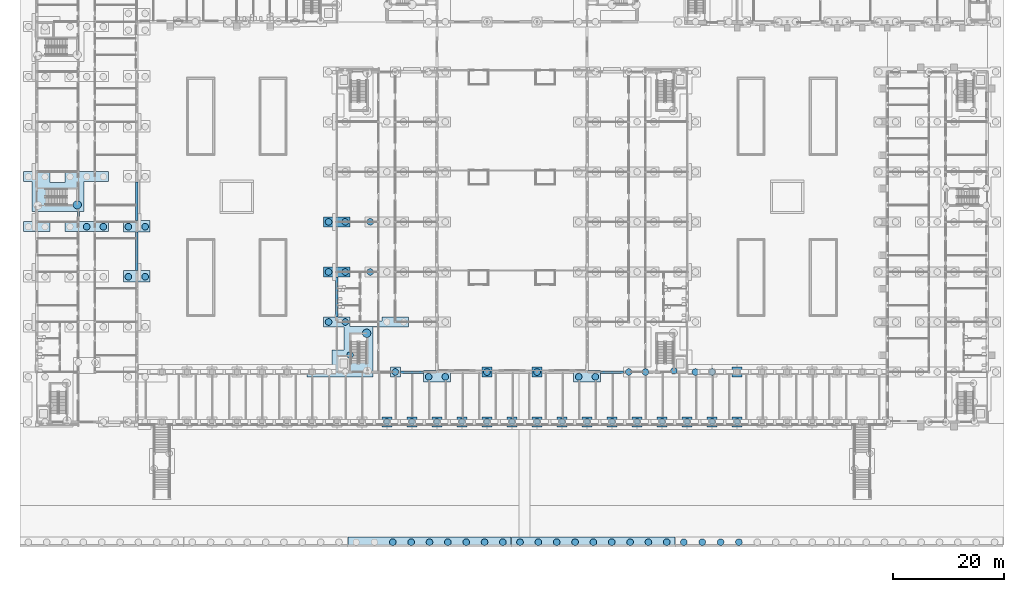
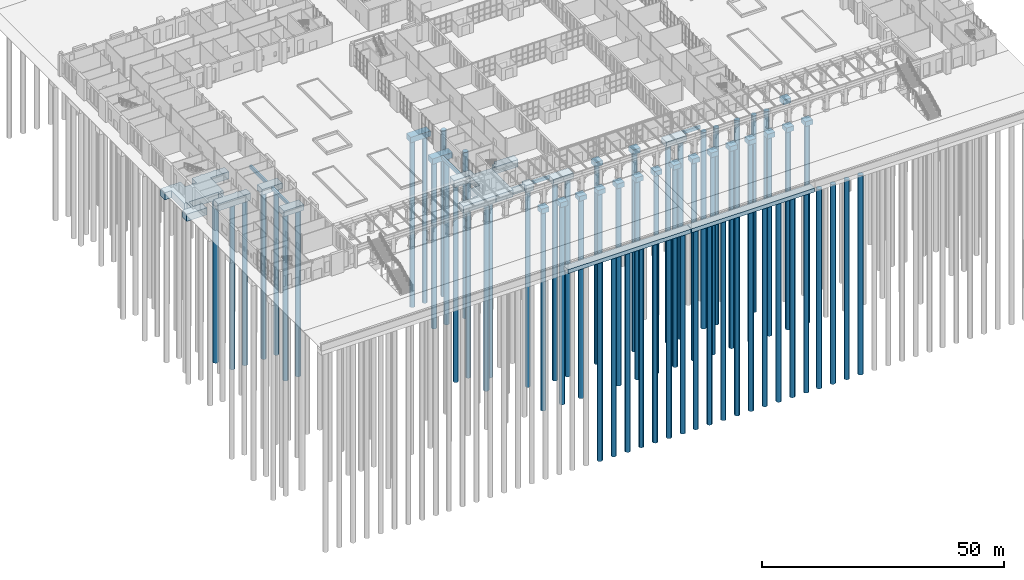
# One storey, part 2 of 168: 64 piles, 33 footings.
"""IFC4 building model written with IfcOpenShell, lengths in metres."""

from ifc_helpers import new_model, si_unit, direction, frame, origin, origin_2d, place, context, subcontext, project, spatial, polyline, circle, outline, extrude, material, material_profile, profile_set, type_object, element, save


model = new_model("IFC4")

# Units and contexts
model_context = context("Model", 3, precision=1e-05, world=origin(), true_north=direction((0.0, 1.0)))
body_context = subcontext(model_context, "Body", "Model", "MODEL_VIEW")
ifc_project = project(units=[si_unit("LENGTHUNIT", "METRE"), si_unit("AREAUNIT", "SQUARE_METRE"), si_unit("VOLUMEUNIT", "CUBIC_METRE"), si_unit("PLANEANGLEUNIT", "RADIAN"), si_unit("MASSUNIT", "GRAM", prefix="KILO")], contexts=[model_context])

# Site, building, storey
site_placement = place(None, origin())
site = spatial("IfcSite", under=ifc_project, at=site_placement, CompositionType="ELEMENT")
building_placement = place(site_placement, origin())
building = spatial("IfcBuilding", under=site, at=building_placement, Name="Golden Quay Civic Hall", CompositionType="ELEMENT")
storey_placement = place(building_placement, origin())
storey = spatial("IfcBuildingStorey", under=building, at=storey_placement, Name="L00", CompositionType="ELEMENT", Elevation=0.0)

# Piles
ifc_material_1 = material(Name="Concrete C40/50", Category="concrete")
ifc_material_profile_1 = material_profile(ifc_material_1, circle(Radius=0.60009765625, at=origin_2d()), Name="RC D1200")
ifc_profile_set_1 = profile_set([ifc_material_profile_1], Name="Concrete C40/50")
pile_type_1 = type_object("IfcPileType", Name="Bored pile 1200", PredefinedType="BORED", material=ifc_profile_set_1)
for number, where, z_axis, x_axis, name in (
    (1, (9.0, 26.134033203125, -2.300048828125), (0.0, 0.0, -1.0), (1.0, 0.0, 0.0), "PL1 bored pile"),
    (2, (12.0, 26.134033203125, -2.300048828125), (0.0, 0.0, -1.0), (1.0, 0.0, 0.0), "PL1 bored pile"),
):
    element("IfcPile", number, at=place(storey_placement, frame(where, z_axis=z_axis, x_axis=x_axis)), inside=storey, type_object=pile_type_1, Name=name, PredefinedType="BORED", context=body_context, shape_type="SweptSolid", body=[
        extrude(circle(Radius=0.60009765625, at=origin_2d()), origin(), (0.0, 0.0, 1.0), 41.699951171875),
    ])
for number, where, z_axis, x_axis, name in (
    (3, (16.5, 17.134033203125, -1.89990234375), (0.0, 0.0, -1.0), (1.0, 0.0, 0.0), "PL1 bored pile"),
    (4, (19.5, 17.134033203125, -1.89990234375), (0.0, 0.0, -1.0), (1.0, 0.0, 0.0), "PL1 bored pile"),
    (5, (16.5, 26.134033203125, -1.89990234375), (0.0, 0.0, -1.0), (1.0, 0.0, 0.0), "PL1 bored pile"),
    (6, (19.5, 26.134033203125, -1.89990234375), (0.0, 0.0, -1.0), (1.0, 0.0, 0.0), "PL1 bored pile"),
):
    element("IfcPile", number, at=place(storey_placement, frame(where, z_axis=z_axis, x_axis=x_axis)), inside=storey, type_object=pile_type_1, Name=name, PredefinedType="BORED", context=body_context, shape_type="SweptSolid", body=[
        extrude(circle(Radius=0.60009765625, at=origin_2d()), origin(), (0.0, 0.0, 1.0), 42.10009765625),
    ])
for number, where, z_axis, x_axis, name in (
    (7, (52.5, 9.0, -2.300048828125), (0.0, 0.0, -1.0), (1.0, 0.0, 0.0), "PL1 bored pile"),
    (8, (55.5, 9.0, -2.300048828125), (0.0, 0.0, -1.0), (1.0, 0.0, 0.0), "PL1 bored pile"),
    (9, (56.375, 3.050048828125, -2.300048828125), (0.0, 0.0, -1.0), (1.0, 0.0, 0.0), "PL1 bored pile"),
    (10, (64.5, 0.0, -2.300048828125), (0.0, 0.0, -1.0), (1.0, 0.0, 0.0), "PL1 bored pile"),
):
    element("IfcPile", number, at=place(storey_placement, frame(where, z_axis=z_axis, x_axis=x_axis)), inside=storey, type_object=pile_type_1, Name=name, PredefinedType="BORED", context=body_context, shape_type="SweptSolid", body=[
        extrude(circle(Radius=0.60009765625, at=origin_2d()), origin(), (0.0, 0.0, 1.0), 49.699951171875),
    ])
for number, where, z_axis, x_axis, name in (
    (11, (52.5, 18.0, -1.89990234375), (0.0, 0.0, -1.0), (1.0, 0.0, 0.0), "PL1 bored pile"),
    (12, (55.5, 18.0, -1.89990234375), (0.0, 0.0, -1.0), (1.0, 0.0, 0.0), "PL1 bored pile"),
    (13, (52.5, 27.0, -1.89990234375), (0.0, 0.0, -1.0), (1.0, 0.0, 0.0), "PL1 bored pile"),
    (14, (55.5, 27.0, -1.89990234375), (0.0, 0.0, -1.0), (1.0, 0.0, 0.0), "PL1 bored pile"),
):
    element("IfcPile", number, at=place(storey_placement, frame(where, z_axis=z_axis, x_axis=x_axis)), inside=storey, type_object=pile_type_1, Name=name, PredefinedType="BORED", context=body_context, shape_type="SweptSolid", body=[
        extrude(circle(Radius=0.60009765625, at=origin_2d()), origin(), (0.0, 0.0, 1.0), 42.10009765625),
    ])
for number, where, z_axis, x_axis, name in (
    (15, (60.0, 18.0, -2.0), (0.0, 0.0, -1.0), (1.0, 0.0, 0.0), "PL1 bored pile"),
    (16, (60.0, 27.0, -2.0), (0.0, 0.0, -1.0), (1.0, 0.0, 0.0), "PL1 bored pile"),
):
    element("IfcPile", number, at=place(storey_placement, frame(where, z_axis=z_axis, x_axis=x_axis)), inside=storey, type_object=pile_type_1, Name=name, PredefinedType="BORED", context=body_context, shape_type="SweptSolid", body=[
        extrude(circle(Radius=0.60009765625, at=origin_2d()), origin(), (0.0, 0.0, 1.0), 42.0),
    ])
for number, where, z_axis, x_axis, name in (
    (17, (63.0, -9.0, -1.699951171875), (0.0, 0.0, -1.0), (1.0, 0.0, 0.0), "PL1 bored pile"),
    (18, (67.5, -9.0, -1.699951171875), (0.0, 0.0, -1.0), (1.0, 0.0, 0.0), "PL1 bored pile"),
):
    element("IfcPile", number, at=place(storey_placement, frame(where, z_axis=z_axis, x_axis=x_axis)), inside=storey, type_object=pile_type_1, Name=name, PredefinedType="BORED", context=body_context, shape_type="SweptSolid", body=[
        extrude(circle(Radius=0.60009765625, at=origin_2d()), origin(), (0.0, 0.0, 1.0), 50.300048828125),
    ])
for number, where, z_axis, x_axis, name in (
    (19, (70.5, -0.865966796875, -1.89990234375), (0.0, 0.0, -1.0), (1.0, 0.0, 0.0), "PL1 bored pile"),
    (20, (73.5, -0.865966796875, -1.89990234375), (0.0, 0.0, -1.0), (1.0, 0.0, 0.0), "PL1 bored pile"),
):
    element("IfcPile", number, at=place(storey_placement, frame(where, z_axis=z_axis, x_axis=x_axis)), inside=storey, type_object=pile_type_1, Name=name, PredefinedType="BORED", context=body_context, shape_type="SweptSolid", body=[
        extrude(circle(Radius=0.60009765625, at=origin_2d()), origin(), (0.0, 0.0, 1.0), 50.10009765625),
    ])
for number, where, z_axis, x_axis, name in (
    (21, (72.0, -9.0, -1.699951171875), (0.0, 0.0, -1.0), (1.0, 0.0, 0.0), "PL1 bored pile"),
    (22, (76.5, -9.0, -1.699951171875), (0.0, 0.0, -1.0), (1.0, 0.0, 0.0), "PL1 bored pile"),
    (23, (81.0, -9.0, -1.699951171875), (0.0, 0.0, -1.0), (1.0, 0.0, 0.0), "PL1 bored pile"),
    (24, (81.0, 0.0, -1.699951171875), (0.0, 0.0, -1.0), (1.0, 0.0, 0.0), "PL1 bored pile"),
    (25, (85.5, -9.0, -1.699951171875), (0.0, 0.0, -1.0), (1.0, 0.0, 0.0), "PL1 bored pile"),
    (26, (90.0, -9.0, -1.699951171875), (0.0, 0.0, -1.0), (1.0, 0.0, 0.0), "PL1 bored pile"),
    (27, (90.0, 0.0, -1.699951171875), (0.0, 0.0, -1.0), (1.0, 0.0, 0.0), "PL1 bored pile"),
    (28, (94.5, -9.0, -1.699951171875), (0.0, 0.0, -1.0), (1.0, 0.0, 0.0), "PL1 bored pile"),
):
    element("IfcPile", number, at=place(storey_placement, frame(where, z_axis=z_axis, x_axis=x_axis)), inside=storey, type_object=pile_type_1, Name=name, PredefinedType="BORED", context=body_context, shape_type="SweptSolid", body=[
        extrude(circle(Radius=0.60009765625, at=origin_2d()), origin(), (0.0, 0.0, 1.0), 50.300048828125),
    ])
for number, where, z_axis, x_axis, name in (
    (29, (97.5, -0.865966796875, -1.89990234375), (0.0, 0.0, -1.0), (1.0, 0.0, 0.0), "PL1 bored pile"),
    (30, (100.5, -0.865966796875, -1.89990234375), (0.0, 0.0, -1.0), (1.0, 0.0, 0.0), "PL1 bored pile"),
):
    element("IfcPile", number, at=place(storey_placement, frame(where, z_axis=z_axis, x_axis=x_axis)), inside=storey, type_object=pile_type_1, Name=name, PredefinedType="BORED", context=body_context, shape_type="SweptSolid", body=[
        extrude(circle(Radius=0.60009765625, at=origin_2d()), origin(), (0.0, 0.0, 1.0), 50.10009765625),
    ])
for number, where, z_axis, x_axis, name in (
    (31, (99.0, -9.0, -1.699951171875), (0.0, 0.0, -1.0), (1.0, 0.0, 0.0), "PL1 bored pile"),
    (32, (103.5, -9.0, -1.699951171875), (0.0, 0.0, -1.0), (1.0, 0.0, 0.0), "PL1 bored pile"),
):
    element("IfcPile", number, at=place(storey_placement, frame(where, z_axis=z_axis, x_axis=x_axis)), inside=storey, type_object=pile_type_1, Name=name, PredefinedType="BORED", context=body_context, shape_type="SweptSolid", body=[
        extrude(circle(Radius=0.60009765625, at=origin_2d()), origin(), (0.0, 0.0, 1.0), 50.300048828125),
    ])
for number, where, z_axis, x_axis, name in (
    (33, (106.5, 0.0, -2.300048828125), (0.0, 0.0, -1.0), (1.0, 0.0, 0.0), "PL1 bored pile"),
    (34, (109.5, 0.0, -2.300048828125), (0.0, 0.0, -1.0), (1.0, 0.0, 0.0), "PL1 bored pile"),
    (35, (114.625, 0.199951171875, -2.300048828125), (0.0, 0.0, -1.0), (1.0, 0.0, 0.0), "PL1 bored pile"),
    (36, (118.5, 0.0, -2.300048828125), (0.0, 0.0, -1.0), (1.0, 0.0, 0.0), "PL1 bored pile"),
    (37, (121.5, 0.0, -2.300048828125), (0.0, 0.0, -1.0), (1.0, 0.0, 0.0), "PL1 bored pile"),
):
    element("IfcPile", number, at=place(storey_placement, frame(where, z_axis=z_axis, x_axis=x_axis)), inside=storey, type_object=pile_type_1, Name=name, PredefinedType="BORED", context=body_context, shape_type="SweptSolid", body=[
        extrude(circle(Radius=0.60009765625, at=origin_2d()), origin(), (0.0, 0.0, 1.0), 49.699951171875),
    ])
for number, where, z_axis, x_axis, name in (
    (38, (108.0, -9.0, -1.699951171875), (0.0, 0.0, -1.0), (1.0, 0.0, 0.0), "PL1 bored pile"),
    (39, (112.5, -9.0, -1.699951171875), (0.0, 0.0, -1.0), (1.0, 0.0, 0.0), "PL1 bored pile"),
    (40, (117.0, -9.0, -1.699951171875), (0.0, 0.0, -1.0), (1.0, 0.0, 0.0), "PL1 bored pile"),
    (41, (121.5, -9.0, -1.699951171875), (0.0, 0.0, -1.0), (1.0, 0.0, 0.0), "PL1 bored pile"),
    (42, (126.0, -9.0, -1.699951171875), (0.0, 0.0, -1.0), (1.0, 0.0, 0.0), "PL1 bored pile"),
):
    element("IfcPile", number, at=place(storey_placement, frame(where, z_axis=z_axis, x_axis=x_axis)), inside=storey, type_object=pile_type_1, Name=name, PredefinedType="BORED", context=body_context, shape_type="SweptSolid", body=[
        extrude(circle(Radius=0.60009765625, at=origin_2d()), origin(), (0.0, 0.0, 1.0), 50.300048828125),
    ])
for number, where, z_axis, x_axis, name in (
    (43, (64.06005859375, -30.60009765625, -1.60009765625), (0.0, 0.0, -1.0), (1.0, 0.0, 0.0), "PL1 bored pile"),
    (44, (67.360107421875, -30.60009765625, -1.60009765625), (0.0, 0.0, -1.0), (1.0, 0.0, 0.0), "PL1 bored pile"),
    (45, (70.659912109375, -30.60009765625, -1.60009765625), (0.0, 0.0, -1.0), (1.0, 0.0, 0.0), "PL1 bored pile"),
    (46, (73.9599609375, -30.60009765625, -1.60009765625), (0.0, 0.0, -1.0), (1.0, 0.0, 0.0), "PL1 bored pile"),
    (47, (77.260009765625, -30.60009765625, -1.60009765625), (0.0, 0.0, -1.0), (1.0, 0.0, 0.0), "PL1 bored pile"),
    (48, (80.56005859375, -30.60009765625, -1.60009765625), (0.0, 0.0, -1.0), (1.0, 0.0, 0.0), "PL1 bored pile"),
    (49, (83.860107421875, -30.60009765625, -1.60009765625), (0.0, 0.0, -1.0), (1.0, 0.0, 0.0), "PL1 bored pile"),
    (50, (86.93994140625, -30.60009765625, -1.60009765625), (0.0, 0.0, -1.0), (1.0, 0.0, 0.0), "PL1 bored pile"),
    (51, (90.239990234375, -30.60009765625, -1.60009765625), (0.0, 0.0, -1.0), (1.0, 0.0, 0.0), "PL1 bored pile"),
    (52, (93.5400390625, -30.60009765625, -1.60009765625), (0.0, 0.0, -1.0), (1.0, 0.0, 0.0), "PL1 bored pile"),
    (53, (96.840087890625, -30.60009765625, -1.60009765625), (0.0, 0.0, -1.0), (1.0, 0.0, 0.0), "PL1 bored pile"),
    (54, (100.139892578125, -30.60009765625, -1.60009765625), (0.0, 0.0, -1.0), (1.0, 0.0, 0.0), "PL1 bored pile"),
    (55, (103.43994140625, -30.60009765625, -1.60009765625), (0.0, 0.0, -1.0), (1.0, 0.0, 0.0), "PL1 bored pile"),
    (56, (106.739990234375, -30.60009765625, -1.60009765625), (0.0, 0.0, -1.0), (1.0, 0.0, 0.0), "PL1 bored pile"),
    (57, (110.0400390625, -30.60009765625, -1.60009765625), (0.0, 0.0, -1.0), (1.0, 0.0, 0.0), "PL1 bored pile"),
    (58, (113.340087890625, -30.60009765625, -1.60009765625), (0.0, 0.0, -1.0), (1.0, 0.0, 0.0), "PL1 bored pile"),
    (59, (116.419921875, -30.60009765625, -1.60009765625), (0.0, 0.0, -1.0), (1.0, 0.0, 0.0), "PL1 bored pile"),
    (60, (119.719970703125, -30.60009765625, -1.60009765625), (0.0, 0.0, -1.0), (1.0, 0.0, 0.0), "PL1 bored pile"),
    (61, (123.02001953125, -30.60009765625, -1.60009765625), (0.0, 0.0, -1.0), (1.0, 0.0, 0.0), "PL1 bored pile"),
    (62, (126.320068359375, -30.60009765625, -1.60009765625), (0.0, 0.0, -1.0), (1.0, 0.0, 0.0), "PL1 bored pile"),
):
    element("IfcPile", number, at=place(storey_placement, frame(where, z_axis=z_axis, x_axis=x_axis)), inside=storey, type_object=pile_type_1, Name=name, PredefinedType="BORED", context=body_context, shape_type="SweptSolid", body=[
        extrude(circle(Radius=0.60009765625, at=origin_2d()), origin(), (0.0, 0.0, 1.0), 50.39990234375),
    ])
ifc_material_2 = material(Name="Concrete C40/50", Category="concrete")
ifc_material_profile_2 = material_profile(ifc_material_2, circle(Radius=0.75, at=origin_2d()), Name="RC D1500")
ifc_profile_set_2 = profile_set([ifc_material_profile_2], Name="Concrete C40/50")
pile_type_2 = type_object("IfcPileType", Name="Bored pile 1500", PredefinedType="BORED", material=ifc_profile_set_2)
pile_1_placement = place(storey_placement, frame((7.300048828125, 30.074951171875, -2.300048828125), z_axis=(0.0, 0.0, -1.0), x_axis=(1.0, 0.0, 0.0)))
element("IfcPile", 63, at=pile_1_placement, inside=storey, type_object=pile_type_2, Name="PL2 bored pile", PredefinedType="BORED", context=body_context, shape_type="SweptSolid", body=[
    extrude(circle(Radius=0.75, at=origin_2d()), origin(), (0.0, 0.0, 1.0), 41.699951171875),
])
pile_2_placement = place(storey_placement, frame((59.35009765625, 6.97509765625, -2.300048828125), z_axis=(0.0, 0.0, -1.0), x_axis=(1.0, 0.0, 0.0)))
element("IfcPile", 64, at=pile_2_placement, inside=storey, type_object=pile_type_2, Name="PL2 bored pile", PredefinedType="BORED", context=body_context, shape_type="SweptSolid", body=[
    extrude(circle(Radius=0.75, at=origin_2d()), origin(), (0.0, 0.0, 1.0), 49.699951171875),
])

# Footings
ifc_material_3 = material(Name="Concrete C40/50", Category="concrete")
footing_type_1 = type_object("IfcFootingType", Name="Ground beam 450 x 800", PredefinedType="FOOTING_BEAM", material=ifc_material_3)
footing_1_placement = place(storey_placement, frame((0.0, 0.0, -1.39990234375)))
element("IfcFooting", 65, at=footing_1_placement, inside=storey, type_object=footing_type_1, Name="F15 ground beam", PredefinedType="FOOTING_BEAM", context=body_context, shape_type="SweptSolid", body=[
    extrude(outline(polyline([(101.39990234375, -0.22509765625), (101.39990234375, 0.22509765625), (105.60009765625, 0.22509765625), (105.60009765625, -0.22509765625), (101.39990234375, -0.22509765625)])), origin(), (0.0, 0.0, 1.0), 0.7998046875),
])
footing_2_placement = place(storey_placement, frame((0.0, 0.0, -1.39990234375)))
element("IfcFooting", 66, at=footing_2_placement, inside=storey, type_object=footing_type_1, Name="F15 ground beam", PredefinedType="FOOTING_BEAM", context=body_context, shape_type="SweptSolid", body=[
    extrude(outline(polyline([(65.39990234375, -0.22509765625), (65.39990234375, 0.22509765625), (69.60009765625, 0.22509765625), (69.60009765625, -0.22509765625), (65.39990234375, -0.22509765625)])), origin(), (0.0, 0.0, 1.0), 0.7998046875),
])
footing_3_placement = place(storey_placement, frame((0.0, 0.0, -1.39990234375)))
element("IfcFooting", 67, at=footing_3_placement, inside=storey, type_object=footing_type_1, Name="F15 ground beam", PredefinedType="FOOTING_BEAM", context=body_context, shape_type="SweptSolid", body=[
    extrude(outline(polyline([(53.77490234375, 17.10009765625), (54.22509765625, 17.10009765625), (54.22509765625, 9.89990234375), (53.77490234375, 9.89990234375), (53.77490234375, 17.10009765625)])), origin(), (0.0, 0.0, 1.0), 0.7998046875),
])
footing_4_placement = place(storey_placement, frame((0.0, 0.0, -1.39990234375)))
element("IfcFooting", 68, at=footing_4_placement, inside=storey, type_object=footing_type_1, Name="F15 ground beam", PredefinedType="FOOTING_BEAM", context=body_context, shape_type="SweptSolid", body=[
    extrude(outline(polyline([(18.22509765625, 18.26708984375), (17.77490234375, 18.26708984375), (17.77490234375, 25.1669921875), (18.22509765625, 25.1669921875), (18.22509765625, 18.26708984375)])), origin(), (0.0, 0.0, 1.0), 0.7998046875),
])
footing_5_placement = place(storey_placement, frame((0.0, 0.0, -1.39990234375)))
element("IfcFooting", 69, at=footing_5_placement, inside=storey, type_object=footing_type_1, Name="F15 ground beam", PredefinedType="FOOTING_BEAM", context=body_context, shape_type="SweptSolid", body=[
    extrude(outline(polyline([(18.22509765625, 27.26708984375), (17.77490234375, 27.26708984375), (17.77490234375, 34.1669921875), (18.22509765625, 34.1669921875), (18.22509765625, 27.26708984375)])), origin(), (0.0, 0.0, 1.0), 0.7998046875),
])
ifc_material_4 = material(Name="Concrete C40/50", Category="concrete")
footing_type_2 = type_object("IfcFootingType", Name="Pile cap 1 pile 1800 x 1800 x 1200", PredefinedType="PILE_CAP", material=ifc_material_4)
footing_6_placement = place(storey_placement, frame((0.0, 0.0, -1.800048828125)))
element("IfcFooting", 70, at=footing_6_placement, inside=storey, type_object=footing_type_2, Name="F10 pile cap", PredefinedType="PILE_CAP", context=body_context, shape_type="SweptSolid", body=[
    extrude(outline(polyline([(63.89990234375, -9.89990234375), (63.89990234375, -8.10009765625), (62.10009765625, -8.10009765625), (62.10009765625, -9.89990234375), (63.89990234375, -9.89990234375)])), origin(), (0.0, 0.0, 1.0), 1.199951171875),
])
footing_7_placement = place(storey_placement, frame((0.0, 0.0, -1.800048828125)))
element("IfcFooting", 71, at=footing_7_placement, inside=storey, type_object=footing_type_2, Name="F10 pile cap", PredefinedType="PILE_CAP", context=body_context, shape_type="SweptSolid", body=[
    extrude(outline(polyline([(68.39990234375, -9.89990234375), (68.39990234375, -8.10009765625), (66.60009765625, -8.10009765625), (66.60009765625, -9.89990234375), (68.39990234375, -9.89990234375)])), origin(), (0.0, 0.0, 1.0), 1.199951171875),
])
footing_8_placement = place(storey_placement, frame((0.0, 0.0, -1.800048828125)))
element("IfcFooting", 72, at=footing_8_placement, inside=storey, type_object=footing_type_2, Name="F10 pile cap", PredefinedType="PILE_CAP", context=body_context, shape_type="SweptSolid", body=[
    extrude(outline(polyline([(72.89990234375, -9.89990234375), (72.89990234375, -8.10009765625), (71.10009765625, -8.10009765625), (71.10009765625, -9.89990234375), (72.89990234375, -9.89990234375)])), origin(), (0.0, 0.0, 1.0), 1.199951171875),
])
footing_9_placement = place(storey_placement, frame((0.0, 0.0, -1.800048828125)))
element("IfcFooting", 73, at=footing_9_placement, inside=storey, type_object=footing_type_2, Name="F10 pile cap", PredefinedType="PILE_CAP", context=body_context, shape_type="SweptSolid", body=[
    extrude(outline(polyline([(77.39990234375, -9.89990234375), (77.39990234375, -8.10009765625), (75.60009765625, -8.10009765625), (75.60009765625, -9.89990234375), (77.39990234375, -9.89990234375)])), origin(), (0.0, 0.0, 1.0), 1.199951171875),
])
footing_10_placement = place(storey_placement, frame((0.0, 0.0, -1.800048828125)))
element("IfcFooting", 74, at=footing_10_placement, inside=storey, type_object=footing_type_2, Name="F10 pile cap", PredefinedType="PILE_CAP", context=body_context, shape_type="SweptSolid", body=[
    extrude(outline(polyline([(81.89990234375, -9.89990234375), (81.89990234375, -8.10009765625), (80.10009765625, -8.10009765625), (80.10009765625, -9.89990234375), (81.89990234375, -9.89990234375)])), origin(), (0.0, 0.0, 1.0), 1.199951171875),
])
footing_11_placement = place(storey_placement, frame((0.0, 0.0, -1.800048828125)))
element("IfcFooting", 75, at=footing_11_placement, inside=storey, type_object=footing_type_2, Name="F10 pile cap", PredefinedType="PILE_CAP", context=body_context, shape_type="SweptSolid", body=[
    extrude(outline(polyline([(81.89990234375, -0.89990234375), (81.89990234375, 0.89990234375), (80.10009765625, 0.89990234375), (80.10009765625, -0.89990234375), (81.89990234375, -0.89990234375)])), origin(), (0.0, 0.0, 1.0), 1.199951171875),
])
footing_12_placement = place(storey_placement, frame((0.0, 0.0, -1.800048828125)))
element("IfcFooting", 76, at=footing_12_placement, inside=storey, type_object=footing_type_2, Name="F10 pile cap", PredefinedType="PILE_CAP", context=body_context, shape_type="SweptSolid", body=[
    extrude(outline(polyline([(86.39990234375, -9.89990234375), (86.39990234375, -8.10009765625), (84.60009765625, -8.10009765625), (84.60009765625, -9.89990234375), (86.39990234375, -9.89990234375)])), origin(), (0.0, 0.0, 1.0), 1.199951171875),
])
footing_13_placement = place(storey_placement, frame((0.0, 0.0, -1.800048828125)))
element("IfcFooting", 77, at=footing_13_placement, inside=storey, type_object=footing_type_2, Name="F10 pile cap", PredefinedType="PILE_CAP", context=body_context, shape_type="SweptSolid", body=[
    extrude(outline(polyline([(90.89990234375, -9.89990234375), (90.89990234375, -8.10009765625), (89.10009765625, -8.10009765625), (89.10009765625, -9.89990234375), (90.89990234375, -9.89990234375)])), origin(), (0.0, 0.0, 1.0), 1.199951171875),
])
footing_14_placement = place(storey_placement, frame((0.0, 0.0, -1.800048828125)))
element("IfcFooting", 78, at=footing_14_placement, inside=storey, type_object=footing_type_2, Name="F10 pile cap", PredefinedType="PILE_CAP", context=body_context, shape_type="SweptSolid", body=[
    extrude(outline(polyline([(90.89990234375, -0.89990234375), (90.89990234375, 0.89990234375), (89.10009765625, 0.89990234375), (89.10009765625, -0.89990234375), (90.89990234375, -0.89990234375)])), origin(), (0.0, 0.0, 1.0), 1.199951171875),
])
footing_15_placement = place(storey_placement, frame((0.0, 0.0, -1.800048828125)))
element("IfcFooting", 79, at=footing_15_placement, inside=storey, type_object=footing_type_2, Name="F10 pile cap", PredefinedType="PILE_CAP", context=body_context, shape_type="SweptSolid", body=[
    extrude(outline(polyline([(95.39990234375, -9.89990234375), (95.39990234375, -8.10009765625), (93.60009765625, -8.10009765625), (93.60009765625, -9.89990234375), (95.39990234375, -9.89990234375)])), origin(), (0.0, 0.0, 1.0), 1.199951171875),
])
footing_16_placement = place(storey_placement, frame((0.0, 0.0, -1.800048828125)))
element("IfcFooting", 80, at=footing_16_placement, inside=storey, type_object=footing_type_2, Name="F10 pile cap", PredefinedType="PILE_CAP", context=body_context, shape_type="SweptSolid", body=[
    extrude(outline(polyline([(99.89990234375, -9.89990234375), (99.89990234375, -8.10009765625), (98.10009765625, -8.10009765625), (98.10009765625, -9.89990234375), (99.89990234375, -9.89990234375)])), origin(), (0.0, 0.0, 1.0), 1.199951171875),
])
footing_17_placement = place(storey_placement, frame((0.0, 0.0, -1.800048828125)))
element("IfcFooting", 81, at=footing_17_placement, inside=storey, type_object=footing_type_2, Name="F10 pile cap", PredefinedType="PILE_CAP", context=body_context, shape_type="SweptSolid", body=[
    extrude(outline(polyline([(104.39990234375, -9.89990234375), (104.39990234375, -8.10009765625), (102.60009765625, -8.10009765625), (102.60009765625, -9.89990234375), (104.39990234375, -9.89990234375)])), origin(), (0.0, 0.0, 1.0), 1.199951171875),
])
footing_18_placement = place(storey_placement, frame((0.0, 0.0, -1.800048828125)))
element("IfcFooting", 82, at=footing_18_placement, inside=storey, type_object=footing_type_2, Name="F10 pile cap", PredefinedType="PILE_CAP", context=body_context, shape_type="SweptSolid", body=[
    extrude(outline(polyline([(108.89990234375, -9.89990234375), (108.89990234375, -8.10009765625), (107.10009765625, -8.10009765625), (107.10009765625, -9.89990234375), (108.89990234375, -9.89990234375)])), origin(), (0.0, 0.0, 1.0), 1.199951171875),
])
footing_19_placement = place(storey_placement, frame((0.0, 0.0, -1.800048828125)))
element("IfcFooting", 83, at=footing_19_placement, inside=storey, type_object=footing_type_2, Name="F10 pile cap", PredefinedType="PILE_CAP", context=body_context, shape_type="SweptSolid", body=[
    extrude(outline(polyline([(113.39990234375, -9.89990234375), (113.39990234375, -8.10009765625), (111.60009765625, -8.10009765625), (111.60009765625, -9.89990234375), (113.39990234375, -9.89990234375)])), origin(), (0.0, 0.0, 1.0), 1.199951171875),
])
footing_20_placement = place(storey_placement, frame((0.0, 0.0, -1.800048828125)))
element("IfcFooting", 84, at=footing_20_placement, inside=storey, type_object=footing_type_2, Name="F10 pile cap", PredefinedType="PILE_CAP", context=body_context, shape_type="SweptSolid", body=[
    extrude(outline(polyline([(117.89990234375, -9.89990234375), (117.89990234375, -8.10009765625), (116.10009765625, -8.10009765625), (116.10009765625, -9.89990234375), (117.89990234375, -9.89990234375)])), origin(), (0.0, 0.0, 1.0), 1.199951171875),
])
footing_21_placement = place(storey_placement, frame((0.0, 0.0, -1.800048828125)))
element("IfcFooting", 85, at=footing_21_placement, inside=storey, type_object=footing_type_2, Name="F10 pile cap", PredefinedType="PILE_CAP", context=body_context, shape_type="SweptSolid", body=[
    extrude(outline(polyline([(122.39990234375, -9.89990234375), (122.39990234375, -8.10009765625), (120.60009765625, -8.10009765625), (120.60009765625, -9.89990234375), (122.39990234375, -9.89990234375)])), origin(), (0.0, 0.0, 1.0), 1.199951171875),
])
footing_22_placement = place(storey_placement, frame((0.0, 0.0, -1.800048828125)))
element("IfcFooting", 86, at=footing_22_placement, inside=storey, type_object=footing_type_2, Name="F10 pile cap", PredefinedType="PILE_CAP", context=body_context, shape_type="SweptSolid", body=[
    extrude(outline(polyline([(126.89990234375, -9.89990234375), (126.89990234375, -8.10009765625), (125.10009765625, -8.10009765625), (125.10009765625, -9.89990234375), (126.89990234375, -9.89990234375)])), origin(), (0.0, 0.0, 1.0), 1.199951171875),
])
footing_23_placement = place(storey_placement, frame((0.0, 0.0, -1.800048828125)))
element("IfcFooting", 87, at=footing_23_placement, inside=storey, type_object=footing_type_2, Name="F10 pile cap", PredefinedType="PILE_CAP", context=body_context, shape_type="SweptSolid", body=[
    extrude(outline(polyline([(126.89990234375, -0.89990234375), (126.89990234375, 0.89990234375), (125.10009765625, 0.89990234375), (125.10009765625, -0.89990234375), (126.89990234375, -0.89990234375)])), origin(), (0.0, 0.0, 1.0), 1.199951171875),
])
ifc_material_5 = material(Name="Concrete C40/50", Category="concrete")
footing_type_3 = type_object("IfcFootingType", Name="Pile cap 2 piles 4800 x 1800 x 1400", PredefinedType="PILE_CAP", material=ifc_material_5)
footing_24_placement = place(storey_placement, frame((0.0, 0.0, -2.0)))
element("IfcFooting", 88, at=footing_24_placement, inside=storey, type_object=footing_type_3, Name="F4 pile cap", PredefinedType="PILE_CAP", context=body_context, shape_type="SweptSolid", body=[
    extrude(outline(polyline([(56.39990234375, 17.10009765625), (56.39990234375, 18.89990234375), (51.60009765625, 18.89990234375), (51.60009765625, 17.10009765625), (56.39990234375, 17.10009765625)])), origin(), (0.0, 0.0, 1.0), 1.39990234375),
])
footing_25_placement = place(storey_placement, frame((0.0, 0.0, -2.0)))
element("IfcFooting", 89, at=footing_25_placement, inside=storey, type_object=footing_type_3, Name="F4 pile cap", PredefinedType="PILE_CAP", context=body_context, shape_type="SweptSolid", body=[
    extrude(outline(polyline([(56.39990234375, 26.10009765625), (56.39990234375, 27.89990234375), (51.60009765625, 27.89990234375), (51.60009765625, 26.10009765625), (56.39990234375, 26.10009765625)])), origin(), (0.0, 0.0, 1.0), 1.39990234375),
])
ifc_material_6 = material(Name="Concrete C40/50", Category="concrete")
footing_type_4 = type_object("IfcFootingType", Name="Pile cap 2 piles 4800 x 2100 x 1400", PredefinedType="PILE_CAP", material=ifc_material_6)
footing_26_placement = place(storey_placement, frame((0.0, 0.0, -2.0)))
element("IfcFooting", 90, at=footing_26_placement, inside=storey, type_object=footing_type_4, Name="F2 pile cap", PredefinedType="PILE_CAP", context=body_context, shape_type="SweptSolid", body=[
    extrude(outline(polyline([(20.39990234375, 16.1669921875), (20.39990234375, 18.26708984375), (15.60009765625, 18.26708984375), (15.60009765625, 16.1669921875), (20.39990234375, 16.1669921875)])), origin(), (0.0, 0.0, 1.0), 1.39990234375),
])
footing_27_placement = place(storey_placement, frame((0.0, 0.0, -2.0)))
element("IfcFooting", 91, at=footing_27_placement, inside=storey, type_object=footing_type_4, Name="F2 pile cap", PredefinedType="PILE_CAP", context=body_context, shape_type="SweptSolid", body=[
    extrude(outline(polyline([(20.39990234375, 25.1669921875), (20.39990234375, 27.26708984375), (15.60009765625, 27.26708984375), (15.60009765625, 25.1669921875), (20.39990234375, 25.1669921875)])), origin(), (0.0, 0.0, 1.0), 1.39990234375),
])
footing_28_placement = place(storey_placement, frame((0.0, 0.0, -2.0)))
element("IfcFooting", 92, at=footing_28_placement, inside=storey, type_object=footing_type_4, Name="F2 pile cap", PredefinedType="PILE_CAP", context=body_context, shape_type="SweptSolid", body=[
    extrude(outline(polyline([(74.39990234375, -1.8359375), (74.39990234375, 0.263916015625), (69.60009765625, 0.263916015625), (69.60009765625, -1.8359375), (74.39990234375, -1.8359375)])), origin(), (0.0, 0.0, 1.0), 1.39990234375),
])
footing_29_placement = place(storey_placement, frame((0.0, 0.0, -2.0)))
element("IfcFooting", 93, at=footing_29_placement, inside=storey, type_object=footing_type_4, Name="F2 pile cap", PredefinedType="PILE_CAP", context=body_context, shape_type="SweptSolid", body=[
    extrude(outline(polyline([(101.39990234375, -1.8359375), (101.39990234375, 0.263916015625), (96.60009765625, 0.263916015625), (96.60009765625, -1.8359375), (101.39990234375, -1.8359375)])), origin(), (0.0, 0.0, 1.0), 1.39990234375),
])
ifc_material_7 = material(Name="Concrete C40/50", Category="concrete")
footing_type_5 = type_object("IfcFootingType", Name="Pile raft 1800 deep on 1500 mm piles", PredefinedType="PILE_CAP", material=ifc_material_7)
footing_30_placement = place(storey_placement, frame((0.0, 0.0, -2.39990234375)))
element("IfcFooting", 94, at=footing_30_placement, inside=storey, type_object=footing_type_5, Name="F1 pile cap", PredefinedType="PILE_CAP", context=body_context, shape_type="SweptSolid", body=[
    extrude(outline(polyline([(-0.85009765625, 28.89990234375), (-0.85009765625, 34.23388671875), (-2.39990234375, 34.23388671875), (-2.39990234375, 36.033935546875), (-0.199951171875, 36.033935546875), (-0.199951171875, 36.199951171875), (0.199951171875, 36.199951171875), (0.199951171875, 36.033935546875), (2.39990234375, 36.033935546875), (2.39990234375, 34.10009765625), (5.10009765625, 34.10009765625), (5.10009765625, 36.033935546875), (7.300048828125, 36.033935546875), (7.300048828125, 36.22998046875), (7.699951171875, 36.22998046875), (7.699951171875, 36.033935546875), (10.300048828125, 36.033935546875), (10.300048828125, 36.22998046875), (10.699951171875, 36.22998046875), (10.699951171875, 36.033935546875), (12.89990234375, 36.033935546875), (12.89990234375, 34.23388671875), (8.47509765625, 34.23388671875), (8.47509765625, 28.89990234375), (7.699951171875, 28.89990234375), (7.699951171875, 27.033935546875), (10.300048828125, 27.033935546875), (10.300048828125, 27.22998046875), (10.699951171875, 27.22998046875), (10.699951171875, 27.033935546875), (12.89990234375, 27.033935546875), (12.89990234375, 25.23388671875), (5.10009765625, 25.23388671875), (5.10009765625, 27.033935546875), (7.300048828125, 27.033935546875), (7.300048828125, 28.89990234375), (0.199951171875, 28.89990234375), (0.199951171875, 27.033935546875), (2.39990234375, 27.033935546875), (2.39990234375, 25.23388671875), (-2.39990234375, 25.23388671875), (-2.39990234375, 27.033935546875), (-0.199951171875, 27.033935546875), (-0.199951171875, 28.89990234375), (-0.85009765625, 28.89990234375)])), origin(), (0.0, 0.0, 1.0), 1.7998046875),
])
footing_31_placement = place(storey_placement, frame((0.0, 0.0, -2.39990234375)))
element("IfcFooting", 95, at=footing_31_placement, inside=storey, type_object=footing_type_5, Name="F1 pile cap", PredefinedType="PILE_CAP", context=body_context, shape_type="SweptSolid", body=[
    extrude(outline(polyline([(48.60009765625, -0.89990234375), (48.60009765625, 0.89990234375), (53.14990234375, 0.89990234375), (53.14990234375, 3.97509765625), (55.324951171875, 3.97509765625), (55.324951171875, 8.10009765625), (51.60009765625, 8.10009765625), (51.60009765625, 9.89990234375), (56.39990234375, 9.89990234375), (56.39990234375, 8.14990234375), (61.300048828125, 8.14990234375), (61.300048828125, 9.199951171875), (62.10009765625, 9.199951171875), (62.10009765625, 9.89990234375), (66.89990234375, 9.89990234375), (66.89990234375, 8.10009765625), (60.52490234375, 8.10009765625), (60.52490234375, 0.195068359375), (63.60009765625, 0.195068359375), (63.60009765625, 0.89990234375), (65.39990234375, 0.89990234375), (65.39990234375, -0.89990234375), (63.60009765625, -0.89990234375), (63.60009765625, -0.195068359375), (60.52490234375, -0.195068359375), (60.52490234375, -0.85009765625), (56.39990234375, -0.85009765625), (56.39990234375, -0.89990234375), (48.60009765625, -0.89990234375)])), origin(), (0.0, 0.0, 1.0), 1.7998046875),
])
ifc_material_8 = material(Name="Concrete C40/50", Category="concrete")
footing_type_6 = type_object("IfcFootingType", Name="Quay strip footing 1000 deep on 1200 mm piles", PredefinedType="STRIP_FOOTING", material=ifc_material_8)
footing_32_placement = place(storey_placement, frame((0.0, 0.0, -1.60009765625)))
element("IfcFooting", 96, at=footing_32_placement, inside=storey, type_object=footing_type_6, Name="Quay strip footing run 3", PredefinedType="STRIP_FOOTING", context=body_context, shape_type="SweptSolid", body=[
    extrude(outline(polyline([(55.9599609375, -31.5), (85.360107421875, -31.5), (85.360107421875, -29.699951171875), (55.9599609375, -29.699951171875), (55.9599609375, -31.5)])), origin(), (0.0, 0.0, 1.0), 1.0),
])
footing_33_placement = place(storey_placement, frame((0.0, 0.0, -1.60009765625)))
element("IfcFooting", 97, at=footing_33_placement, inside=storey, type_object=footing_type_6, Name="Quay strip footing run 4", PredefinedType="STRIP_FOOTING", context=body_context, shape_type="SweptSolid", body=[
    extrude(outline(polyline([(85.43994140625, -31.5), (114.840087890625, -31.5), (114.840087890625, -29.699951171875), (85.43994140625, -29.699951171875), (85.43994140625, -31.5)])), origin(), (0.0, 0.0, 1.0), 1.0),
])

save(model, "model.ifc")
